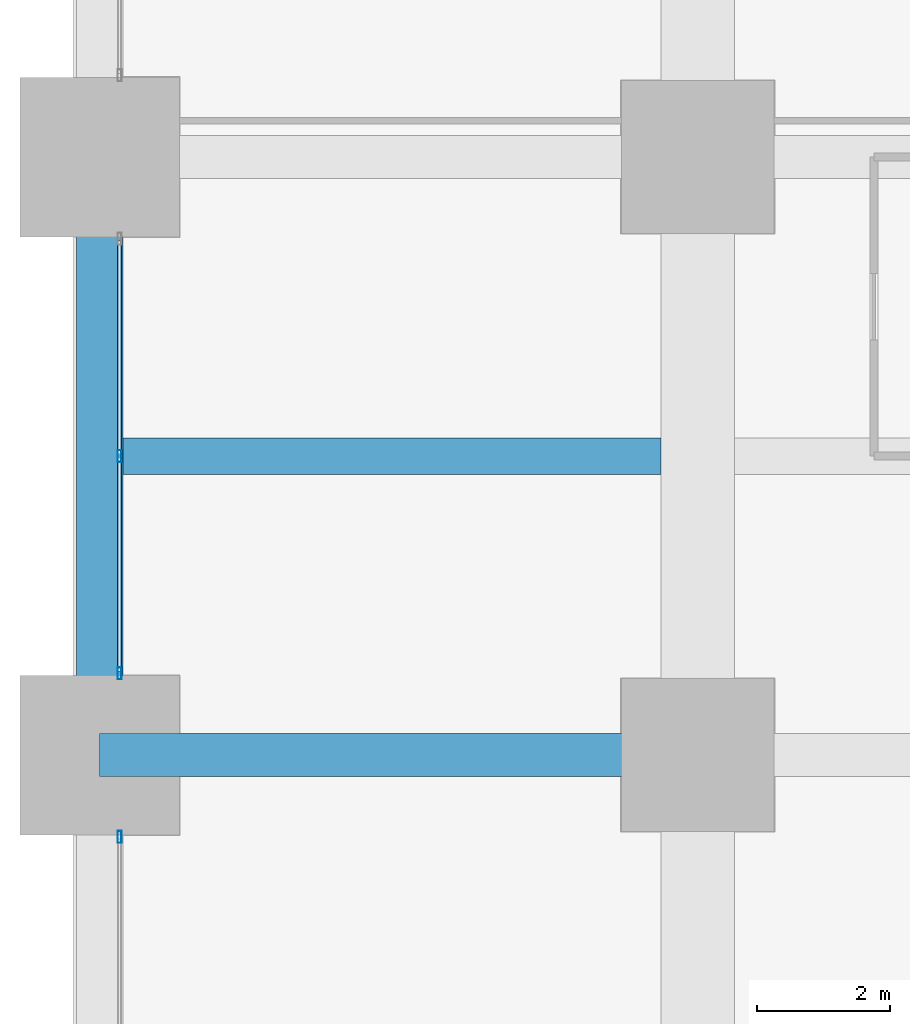
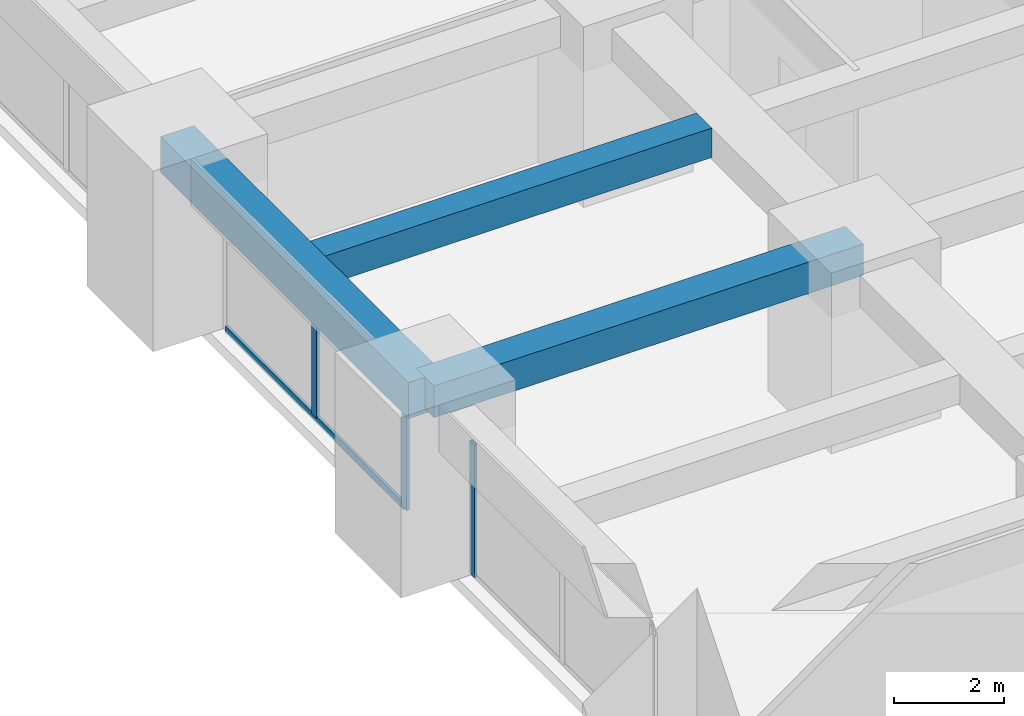
# One storey, part 11 of 45: 4 members, 3 beams, 2 elements without a shape of their own.
"""IFC4 building model written with IfcOpenShell, lengths in metres."""

from ifc_helpers import new_model, si_unit, direction, frame, origin, origin_2d, place, context, subcontext, project, spatial, rectangle, hollow_rectangle, extrude, material, material_profile, profile_set, type_object, element, aggregate, save


model = new_model("IFC4")

# Units and contexts
model_context = context("Model", 3, precision=1e-05, world=origin(), true_north=direction((0.0, 1.0)))
body_context = subcontext(model_context, "Body", "Model", "MODEL_VIEW")
ifc_project = project(units=[si_unit("LENGTHUNIT", "METRE"), si_unit("AREAUNIT", "SQUARE_METRE"), si_unit("VOLUMEUNIT", "CUBIC_METRE"), si_unit("PLANEANGLEUNIT", "RADIAN"), si_unit("MASSUNIT", "GRAM", prefix="KILO")], contexts=[model_context])

# Site, building, storey
site_placement = place(None, origin())
site = spatial("IfcSite", under=ifc_project, at=site_placement, CompositionType="ELEMENT")
building_placement = place(site_placement, origin())
building = spatial("IfcBuilding", under=site, at=building_placement, Name="Zorevar Civic Tower", CompositionType="ELEMENT")
storey_placement = place(building_placement, frame((0.0, 0.0, 39.800048828125)))
storey = spatial("IfcBuildingStorey", under=building, at=storey_placement, Name="L09", CompositionType="ELEMENT", Elevation=39.800048828125)

# Beams
ifc_material_1 = material(Name="Concrete C50/60", Category="concrete")
ifc_material_profile_1 = material_profile(ifc_material_1, rectangle(XDim=0.550048828125, YDim=0.64990234375, at=origin_2d()), Name="RC 550x650")
ifc_profile_set_1 = profile_set([ifc_material_profile_1], Name="Concrete C50/60")
beam_type_1 = type_object("IfcBeamType", Name="Beam RC 550x650", PredefinedType="BEAM", material=ifc_profile_set_1)
beam_1_placement = place(storey_placement, frame((0.35009765625, 31.5, 3.425048828125), z_axis=(1.0, 0.0, 0.0), x_axis=(0.0, 1.0, 0.0)))
element("IfcBeam", 1, at=beam_1_placement, inside=storey, type_object=beam_type_1, Name="Secondary beam L10", PredefinedType="BEAM", context=body_context, shape_type="SweptSolid", body=[
    extrude(rectangle(XDim=0.550048828125, YDim=0.64990234375, at=origin_2d()), origin(), (0.0, 0.0, 1.0), 8.099853515625),
])
ifc_material_2 = material(Name="Concrete C50/60", Category="concrete")
ifc_material_profile_2 = material_profile(ifc_material_2, rectangle(XDim=0.64990234375, YDim=0.699951171875, at=origin_2d()), Name="RC 650x700")
ifc_profile_set_2 = profile_set([ifc_material_profile_2], Name="Concrete C50/60")
beam_type_2 = type_object("IfcBeamType", Name="Beam RC 650x700", PredefinedType="BEAM", material=ifc_profile_set_2)
beam_2_placement = place(storey_placement, frame((0.0, 27.0, 3.39990234375), z_axis=(1.0, 0.0, 0.0), x_axis=(0.0, 1.0, 0.0)))
element("IfcBeam", 2, at=beam_2_placement, inside=storey, type_object=beam_type_2, Name="Girder L10", PredefinedType="BEAM", context=body_context, shape_type="SweptSolid", body=[
    extrude(rectangle(XDim=0.64990234375, YDim=0.699951171875, at=origin_2d()), origin(), (0.0, 0.0, 1.0), 9.0),
])

# Curtain wall, member
ifc_material_3 = material(Name="Dark grey solar-control glass in black aluminium frame", Category="aluminium")
curtain_wall_type = type_object("IfcCurtainWallType", Name="Curtain wall CW2 low zone", PredefinedType="NOTDEFINED", material=ifc_material_3)
curtain_wall_1_placement = place(storey_placement, origin())
curtain_wall_1 = element("IfcCurtainWall", 3, at=curtain_wall_1_placement, inside=storey, type_object=curtain_wall_type, Name="CW2 L09", PredefinedType="NOTDEFINED")
ifc_material_4 = material(Name="Aluminium, black anodised", Category="aluminium")
ifc_material_profile_3 = material_profile(ifc_material_4, hollow_rectangle(XDim=0.06005859375, YDim=0.179931640625, WallThickness=0.00390625, at=origin_2d()), Name="AL 180x60x4")
ifc_profile_set_3 = profile_set([ifc_material_profile_3], Name="Aluminium, black anodised")
member_type_1 = type_object("IfcMemberType", Name="CW2 mullion AL 180x60x4", PredefinedType="MULLION", material=ifc_profile_set_3)
member_1_placement = place(storey_placement, frame((0.300048828125, 25.77001953125, 0.0), z_axis=(0.0, 0.0, 1.0), x_axis=(-1.0, 0.0, 0.0)))
member_1 = element("IfcMember", 4, at=member_1_placement, type_object=member_type_1, Name="CW2 mullion 3", PredefinedType="MULLION", context=body_context, shape_type="SweptSolid", body=[
    extrude(hollow_rectangle(XDim=0.06005859375, YDim=0.179931640625, WallThickness=0.00390625, at=origin_2d()), origin(), (0.0, 0.0, 1.0), 2.949951171875),
])
aggregate(curtain_wall_1, [member_1])

# Curtain wall, members
curtain_wall_2_placement = place(storey_placement, origin())
curtain_wall_2 = element("IfcCurtainWall", 5, at=curtain_wall_2_placement, inside=storey, type_object=curtain_wall_type, Name="CW2 L09", PredefinedType="NOTDEFINED")
member_2_placement = place(storey_placement, frame((0.300048828125, 28.22998046875, 0.0), z_axis=(0.0, 0.0, 1.0), x_axis=(-1.0, 0.0, 0.0)))
member_2 = element("IfcMember", 6, at=member_2_placement, type_object=member_type_1, Name="CW2 mullion 1", PredefinedType="MULLION", context=body_context, shape_type="SweptSolid", body=[
    extrude(hollow_rectangle(XDim=0.06005859375, YDim=0.179931640625, WallThickness=0.00390625, at=origin_2d()), origin(), (0.0, 0.0, 1.0), 2.949951171875),
])
member_3_placement = place(storey_placement, frame((0.300048828125, 31.5, 0.06005859375), z_axis=(0.0, 0.0, 1.0), x_axis=(-1.0, 0.0, 0.0)))
member_3 = element("IfcMember", 7, at=member_3_placement, type_object=member_type_1, Name="CW2 mullion 2", PredefinedType="MULLION", context=body_context, shape_type="SweptSolid", body=[
    extrude(hollow_rectangle(XDim=0.06005859375, YDim=0.179931640625, WallThickness=0.00390625, at=origin_2d()), origin(), (0.0, 0.0, 1.0), 2.889892578125),
])
ifc_material_5 = material(Name="Aluminium, black anodised", Category="aluminium")
ifc_material_profile_4 = material_profile(ifc_material_5, hollow_rectangle(XDim=0.06005859375, YDim=0.14990234375, WallThickness=0.00390625, at=origin_2d()), Name="AL 150x60x4")
ifc_profile_set_4 = profile_set([ifc_material_profile_4], Name="Aluminium, black anodised")
member_type_2 = type_object("IfcMemberType", Name="CW2 transom AL 150x60x4", PredefinedType="USERDEFINED", material=ifc_profile_set_4)
member_4_placement = place(storey_placement, frame((0.300048828125, 28.260009765625, 0.030029296875), z_axis=(0.0, 1.0, 0.0), x_axis=(-1.0, 0.0, 0.0)))
member_4 = element("IfcMember", 8, at=member_4_placement, type_object=member_type_2, Name="CW2 sill transom", ObjectType="TRANSOM", PredefinedType="USERDEFINED", context=body_context, shape_type="SweptSolid", body=[
    extrude(hollow_rectangle(XDim=0.06005859375, YDim=0.14990234375, WallThickness=0.00390625, at=origin_2d()), origin(), (0.0, 0.0, 1.0), 6.47998046875),
])
aggregate(curtain_wall_2, [member_2, member_3, member_4])

# Beam
ifc_material_6 = material(Name="Concrete C50/60", Category="concrete")
ifc_material_profile_5 = material_profile(ifc_material_6, rectangle(XDim=0.699951171875, YDim=0.800048828125, at=origin_2d()), Name="RC 700x800")
ifc_profile_set_5 = profile_set([ifc_material_profile_5], Name="Concrete C50/60")
beam_type_3 = type_object("IfcBeamType", Name="Edge beam RC 700x800", PredefinedType="SPANDREL", material=ifc_profile_set_5)
beam_3_placement = place(storey_placement, frame((0.0, 27.0, 3.349853515625), z_axis=(0.0, 1.0, 0.0), x_axis=(-1.0, 0.0, 0.0)))
element("IfcBeam", 9, at=beam_3_placement, inside=storey, type_object=beam_type_3, Name="Edge beam L10", PredefinedType="SPANDREL", context=body_context, shape_type="SweptSolid", body=[
    extrude(rectangle(XDim=0.699951171875, YDim=0.800048828125, at=origin_2d()), origin(), (0.0, 0.0, 1.0), 9.0),
])

save(model, "model.ifc")
